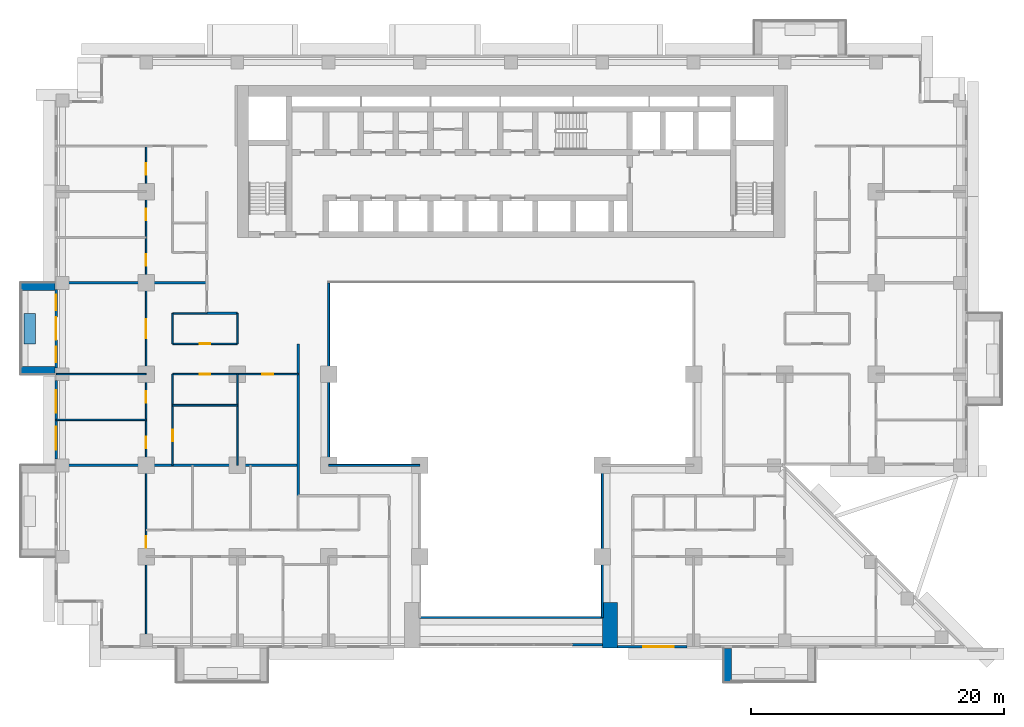
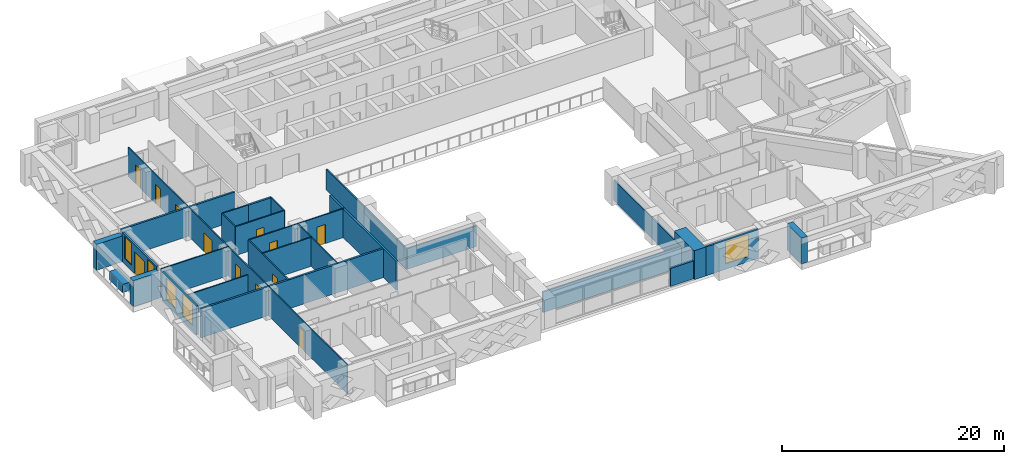
# One storey, part 7 of 16: 28 walls, 12 doors, 5 windows, 17 openings.
"""IFC4 building model written with IfcOpenShell, lengths in metres."""

from ifc_helpers import new_model, si_unit, direction, frame, frame_2d, origin, place, context, subcontext, project, spatial, rectangle, extrude, material, layer, layer_set, type_object, element, fill, save


model = new_model("IFC4")

# Units and contexts
model_context = context("Model", 3, precision=1e-05, world=origin(), true_north=direction((0.0, 1.0)))
body_context = subcontext(model_context, "Body", "Model", "MODEL_VIEW")
ifc_project = project(units=[si_unit("LENGTHUNIT", "METRE"), si_unit("AREAUNIT", "SQUARE_METRE"), si_unit("VOLUMEUNIT", "CUBIC_METRE"), si_unit("PLANEANGLEUNIT", "RADIAN"), si_unit("MASSUNIT", "GRAM", prefix="KILO")], contexts=[model_context])

# Site, building, storey
site_placement = place(None, origin())
site = spatial("IfcSite", under=ifc_project, at=site_placement, CompositionType="ELEMENT")
building_placement = place(site_placement, origin())
building = spatial("IfcBuilding", under=site, at=building_placement, Name="Saffron Iwan Residences", CompositionType="ELEMENT")
storey_placement = place(building_placement, frame((0.0, 0.0, 69.0)))
storey = spatial("IfcBuildingStorey", under=building, at=storey_placement, Name="L17", CompositionType="ELEMENT", Elevation=69.0)

# Walls
ifc_material_1 = material(Name="Fire-rated glazing", Category="glass")
ifc_layer_1 = layer(ifc_material_1, 0.14990234375)
ifc_layer_set_1 = layer_set([ifc_layer_1], Name="Fire-rated glazing")
wall_type_1 = type_object("IfcWallType", Name="Atrium glazed screen 150", PredefinedType="SOLIDWALL", material=ifc_layer_set_1)
wall_1_placement = place(storey_placement, frame((43.199951171875, 36.0, 0.0), z_axis=(0.0, 0.0, 1.0), x_axis=(1.0, 0.0, 0.0)))
element("IfcWall", 1, at=wall_1_placement, inside=storey, type_object=wall_type_1, Name="W-L17-SCREEN-h36-43.2", PredefinedType="SOLIDWALL", context=body_context, shape_type="SweptSolid", body=[
    extrude(rectangle(XDim=14.400146484375, YDim=0.14990234375, at=frame_2d((7.2001953125, 0.0))), origin(), (0.0, 0.0, 1.0), 2.280029296875),
])
wall_2_placement = place(storey_placement, frame((36.0, 48.0, 0.0), z_axis=(0.0, 0.0, 1.0), x_axis=(1.0, 0.0, 0.0)))
element("IfcWall", 2, at=wall_2_placement, inside=storey, type_object=wall_type_1, Name="W-L17-SCREEN-h48-36", PredefinedType="SOLIDWALL", context=body_context, shape_type="SweptSolid", body=[
    extrude(rectangle(XDim=7.199951171875, YDim=0.14990234375, at=frame_2d((3.60009765625, 0.0))), origin(), (0.0, 0.0, 1.0), 2.280029296875),
])
wall_3_placement = place(storey_placement, frame((36.0, 48.0, 0.0), z_axis=(0.0, 0.0, 1.0), x_axis=(0.0, 1.0, 0.0)))
element("IfcWall", 3, at=wall_3_placement, inside=storey, type_object=wall_type_1, Name="W-L17-SCREEN-v36-48", PredefinedType="SOLIDWALL", context=body_context, shape_type="SweptSolid", body=[
    extrude(rectangle(XDim=14.39990234375, YDim=0.14990234375, at=frame_2d((7.199951171875, 0.0))), origin(), (0.0, 0.0, 1.0), 2.280029296875),
])
wall_4_placement = place(storey_placement, frame((57.60009765625, 36.0, 0.0), z_axis=(0.0, 0.0, 1.0), x_axis=(0.0, 1.0, 0.0)))
element("IfcWall", 4, at=wall_4_placement, inside=storey, type_object=wall_type_1, Name="W-L17-SCREEN-v57.6-36", PredefinedType="SOLIDWALL", context=body_context, shape_type="SweptSolid", body=[
    extrude(rectangle(XDim=12.0, YDim=0.14990234375, at=frame_2d((6.0, 0.0))), origin(), (0.0, 0.0, 1.0), 2.280029296875),
])
ifc_material_2 = material(Name="Concrete C50/60 white painted", Category="concrete")
ifc_layer_2 = layer(ifc_material_2, 0.60009765625)
ifc_layer_set_2 = layer_set([ifc_layer_2], Name="Concrete C50/60 white painted")
wall_type_2 = type_object("IfcWallType", Name="BALCONY FIN 600", PredefinedType="SOLIDWALL", material=ifc_layer_set_2)
for number, where, z_axis, x_axis, name in (
    (5, (14.39990234375, 62.10009765625, 0.0), (0.0, 0.0, 1.0), (-1.0, 0.0, 0.0), "Balcony fin L17 F8-0a"),
    (6, (14.39990234375, 55.5, 0.0), (0.0, 0.0, 1.0), (-1.0, 0.0, 0.0), "Balcony fin L17 F8-0b"),
):
    element("IfcWall", number, at=place(storey_placement, frame(where, z_axis=z_axis, x_axis=x_axis)), inside=storey, type_object=wall_type_2, Name=name, PredefinedType="SOLIDWALL", context=body_context, shape_type="SweptSolid", body=[
        extrude(rectangle(XDim=2.699951171875, YDim=0.60009765625, at=frame_2d((1.35009765625, 0.0))), origin(), (0.0, 0.0, 1.0), 2.85009765625),
    ])
wall_5_placement = place(storey_placement, frame((67.5, 33.550048828125, 0.0), z_axis=(0.0, 0.0, 1.0), x_axis=(0.0, -1.0, 0.0)))
element("IfcWall", 7, at=wall_5_placement, inside=storey, type_object=wall_type_2, Name="Balcony fin L17 11-1a", PredefinedType="SOLIDWALL", context=body_context, shape_type="SweptSolid", body=[
    extrude(rectangle(XDim=2.650146484375, YDim=0.60009765625, at=frame_2d((1.3251953125, 0.0))), origin(), (0.0, 0.0, 1.0), 2.85009765625),
])
ifc_material_3 = material(Name="Concrete C35/45 white painted", Category="concrete")
ifc_layer_3 = layer(ifc_material_3, 0.14990234375)
ifc_layer_set_3 = layer_set([ifc_layer_3], Name="Concrete C35/45 white painted")
wall_type_3 = type_object("IfcWallType", Name="BALCONY PLANTER", PredefinedType="SOLIDWALL", material=ifc_layer_set_3)
wall_6_placement = place(storey_placement, frame((12.425048828125, 60.0, 0.0), z_axis=(0.0, 0.0, 1.0), x_axis=(0.0, -1.0, 0.0)))
element("IfcWall", 8, at=wall_6_placement, inside=storey, type_object=wall_type_3, Name="PLANTER L17 F8-0", PredefinedType="SOLIDWALL", context=body_context, shape_type="SweptSolid", body=[
    extrude(rectangle(XDim=2.39990234375, YDim=0.89990234375, at=frame_2d((1.199951171875, 0.0))), origin(), (0.0, 0.0, 1.0), 0.89990234375),
])

# Wall, openings, door, windows
ifc_material_4 = material(Name="Concrete C40/50", Category="concrete")
ifc_layer_4 = layer(ifc_material_4, 0.199951171875)
ifc_layer_set_4 = layer_set([ifc_layer_4], Name="Concrete C40/50")
wall_type_4 = type_object("IfcWallType", Name="EXTERNAL WALL 200", PredefinedType="SOLIDWALL", material=ifc_layer_set_4)
wall_7_placement = place(storey_placement, frame((14.5, 61.89990234375, 0.0), z_axis=(0.0, 0.0, 1.0), x_axis=(0.0, -1.0, 0.0)))
wall_7 = element("IfcWall", 9, at=wall_7_placement, inside=storey, type_object=wall_type_4, Name="External wall L17 F8.2", PredefinedType="SOLIDWALL", context=body_context, shape_type="SweptSolid", body=[
    extrude(rectangle(XDim=6.199951171875, YDim=0.199951171875, at=frame_2d((3.10009765625, 0.0))), origin(), (0.0, 0.0, 1.0), 3.179931640625),
])
opening_1_placement = place(wall_7_placement, frame((2.199951171875, 0.0, 0.0)))
opening_1 = element("IfcOpeningElement", 10, at=opening_1_placement, cuts=wall_7, Name="Opening BD1", PredefinedType="OPENING", context=body_context, shape_type="SweptSolid", body=[
    extrude(rectangle(XDim=1.800048828125, YDim=2.39990234375, at=frame_2d((0.89990234375, 1.199951171875))), frame((0.0, 0.10986328125, 0.0), z_axis=(0.0, -1.0, 0.0), x_axis=(1.0, 0.0, 0.0)), (0.0, 0.0, 1.0), 0.219970703125),
])
opening_2_placement = place(wall_7_placement, frame((0.449951171875, 0.0, 0.60009765625)))
opening_2 = element("IfcOpeningElement", 11, at=opening_2_placement, cuts=wall_7, Name="Opening W3", PredefinedType="OPENING", context=body_context, shape_type="SweptSolid", body=[
    extrude(rectangle(XDim=1.199951171875, YDim=2.39990234375, at=frame_2d((0.60009765625, 1.199951171875))), frame((0.0, 0.10986328125, 0.0), z_axis=(0.0, -1.0, 0.0), x_axis=(1.0, 0.0, 0.0)), (0.0, 0.0, 1.0), 0.219970703125),
])
opening_3_placement = place(wall_7_placement, frame((4.550048828125, 0.0, 0.60009765625)))
opening_3 = element("IfcOpeningElement", 12, at=opening_3_placement, cuts=wall_7, Name="Opening W3", PredefinedType="OPENING", context=body_context, shape_type="SweptSolid", body=[
    extrude(rectangle(XDim=1.199951171875, YDim=2.39990234375, at=frame_2d((0.60009765625, 1.199951171875))), frame((0.0, 0.10986328125, 0.0), z_axis=(0.0, -1.0, 0.0), x_axis=(1.0, 0.0, 0.0)), (0.0, 0.0, 1.0), 0.219970703125),
])
ifc_material_5 = material(Name="Clear glass, laminated double glazed", Category="glass")
door_type_1 = type_object("IfcDoorType", Name="BALCONY DOOR 1800 x 2400", OperationType="DOUBLE_DOOR_SLIDING", PredefinedType="DOOR", material=ifc_material_5)
door_1_placement = place(opening_1_placement, origin())
door_1 = element("IfcDoor", 13, at=door_1_placement, inside=storey, type_object=door_type_1, Name="Balcony door L17 F8.0", OperationType="DOUBLE_DOOR_SLIDING", OverallHeight=2.39990234375, OverallWidth=1.800048828125, PredefinedType="DOOR", context=body_context, shape_type="SweptSolid", body=[
    extrude(rectangle(XDim=1.800048828125, YDim=2.39990234375, at=frame_2d((0.89990234375, 1.199951171875))), frame((0.0, 0.02490234375, 0.0), z_axis=(0.0, -1.0, 0.0), x_axis=(1.0, 0.0, 0.0)), (0.0, 0.0, 1.0), 0.050048828125),
])
fill(opening_1, door_1)
window_type_1 = type_object("IfcWindowType", Name="WINDOW 1200 x 2400", PartitioningType="SINGLE_PANEL", PredefinedType="WINDOW", material=ifc_material_5)
window_1_placement = place(opening_2_placement, origin())
window_1 = element("IfcWindow", 14, at=window_1_placement, inside=storey, type_object=window_type_1, Name="Window L17 F8.1", OverallHeight=2.39990234375, OverallWidth=1.199951171875, PartitioningType="SINGLE_PANEL", PredefinedType="WINDOW", context=body_context, shape_type="SweptSolid", body=[
    extrude(rectangle(XDim=1.199951171875, YDim=2.39990234375, at=frame_2d((0.60009765625, 1.199951171875))), frame((0.0, 0.030029296875, 0.0), z_axis=(0.0, -1.0, 0.0), x_axis=(1.0, 0.0, 0.0)), (0.0, 0.0, 1.0), 0.06005859375),
])
fill(opening_2, window_1)
window_2_placement = place(opening_3_placement, origin())
window_2 = element("IfcWindow", 15, at=window_2_placement, inside=storey, type_object=window_type_1, Name="Window L17 F8.2", OverallHeight=2.39990234375, OverallWidth=1.199951171875, PartitioningType="SINGLE_PANEL", PredefinedType="WINDOW", context=body_context, shape_type="SweptSolid", body=[
    extrude(rectangle(XDim=1.199951171875, YDim=2.39990234375, at=frame_2d((0.60009765625, 1.199951171875))), frame((0.0, 0.030029296875, 0.0), z_axis=(0.0, -1.0, 0.0), x_axis=(1.0, 0.0, 0.0)), (0.0, 0.0, 1.0), 0.06005859375),
])
fill(opening_3, window_2)

# Wall, openings, windows
wall_8_placement = place(storey_placement, frame((14.5, 54.699951171875, 0.0), z_axis=(0.0, 0.0, 1.0), x_axis=(0.0, -1.0, 0.0)))
wall_8 = element("IfcWall", 16, at=wall_8_placement, inside=storey, type_object=wall_type_4, Name="External wall L17 F8.3", PredefinedType="SOLIDWALL", context=body_context, shape_type="SweptSolid", body=[
    extrude(rectangle(XDim=6.199951171875, YDim=0.199951171875, at=frame_2d((3.10009765625, 0.0))), origin(), (0.0, 0.0, 1.0), 3.179931640625),
])
opening_4_placement = place(wall_8_placement, frame((3.64990234375, 0.0, 0.60009765625)))
opening_4 = element("IfcOpeningElement", 17, at=opening_4_placement, cuts=wall_8, Name="Opening W8", PredefinedType="OPENING", context=body_context, shape_type="SweptSolid", body=[
    extrude(rectangle(XDim=1.800048828125, YDim=2.39990234375, at=frame_2d((0.89990234375, 1.199951171875))), frame((0.0, 0.10986328125, 0.0), z_axis=(0.0, -1.0, 0.0), x_axis=(1.0, 0.0, 0.0)), (0.0, 0.0, 1.0), 0.219970703125),
])
opening_5_placement = place(wall_8_placement, frame((0.75, 0.0, 0.60009765625)))
opening_5 = element("IfcOpeningElement", 18, at=opening_5_placement, cuts=wall_8, Name="Opening W8", PredefinedType="OPENING", context=body_context, shape_type="SweptSolid", body=[
    extrude(rectangle(XDim=1.800048828125, YDim=2.39990234375, at=frame_2d((0.89990234375, 1.199951171875))), frame((0.0, 0.10986328125, 0.0), z_axis=(0.0, -1.0, 0.0), x_axis=(1.0, 0.0, 0.0)), (0.0, 0.0, 1.0), 0.219970703125),
])
window_type_2 = type_object("IfcWindowType", Name="WINDOW 1800 x 2400", PartitioningType="DOUBLE_PANEL_VERTICAL", PredefinedType="WINDOW", material=ifc_material_5)
window_3_placement = place(opening_4_placement, origin())
window_3 = element("IfcWindow", 19, at=window_3_placement, inside=storey, type_object=window_type_2, Name="Window L17 F8.0", OverallHeight=2.39990234375, OverallWidth=1.800048828125, PartitioningType="DOUBLE_PANEL_VERTICAL", PredefinedType="WINDOW", context=body_context, shape_type="SweptSolid", body=[
    extrude(rectangle(XDim=1.800048828125, YDim=2.39990234375, at=frame_2d((0.89990234375, 1.199951171875))), frame((0.0, 0.030029296875, 0.0), z_axis=(0.0, -1.0, 0.0), x_axis=(1.0, 0.0, 0.0)), (0.0, 0.0, 1.0), 0.06005859375),
])
fill(opening_4, window_3)
window_4_placement = place(opening_5_placement, origin())
window_4 = element("IfcWindow", 20, at=window_4_placement, inside=storey, type_object=window_type_2, Name="Window L17 F8.1", OverallHeight=2.39990234375, OverallWidth=1.800048828125, PartitioningType="DOUBLE_PANEL_VERTICAL", PredefinedType="WINDOW", context=body_context, shape_type="SweptSolid", body=[
    extrude(rectangle(XDim=1.800048828125, YDim=2.39990234375, at=frame_2d((0.89990234375, 1.199951171875))), frame((0.0, 0.030029296875, 0.0), z_axis=(0.0, -1.0, 0.0), x_axis=(1.0, 0.0, 0.0)), (0.0, 0.0, 1.0), 0.06005859375),
])
fill(opening_5, window_4)

# Wall, opening, window
wall_9_placement = place(storey_placement, frame((58.800048828125, 33.699951171875, 0.0), z_axis=(0.0, 0.0, 1.0), x_axis=(1.0, 0.0, 0.0)))
wall_9 = element("IfcWall", 21, at=wall_9_placement, inside=storey, type_object=wall_type_4, Name="External wall L17 F11.4", PredefinedType="SOLIDWALL", context=body_context, shape_type="SweptSolid", body=[
    extrude(rectangle(XDim=5.5, YDim=0.199951171875, at=frame_2d((2.75, 0.0))), origin(), (0.0, 0.0, 1.0), 3.179931640625),
])
opening_6_placement = place(wall_9_placement, frame((2.050048828125, 0.0, 0.60009765625)))
opening_6 = element("IfcOpeningElement", 22, at=opening_6_placement, cuts=wall_9, Name="Opening W1", PredefinedType="OPENING", context=body_context, shape_type="SweptSolid", body=[
    extrude(rectangle(XDim=2.39990234375, YDim=2.39990234375, at=frame_2d((1.199951171875, 1.199951171875))), frame((0.0, 0.10986328125, 0.0), z_axis=(0.0, -1.0, 0.0), x_axis=(1.0, 0.0, 0.0)), (0.0, 0.0, 1.0), 0.219970703125),
])
window_type_3 = type_object("IfcWindowType", Name="WINDOW 2400 x 2400", PartitioningType="DOUBLE_PANEL_VERTICAL", PredefinedType="WINDOW", material=ifc_material_5)
window_5_placement = place(opening_6_placement, origin())
window_5 = element("IfcWindow", 23, at=window_5_placement, inside=storey, type_object=window_type_3, Name="Window L17 F11.0", OverallHeight=2.39990234375, OverallWidth=2.39990234375, PartitioningType="DOUBLE_PANEL_VERTICAL", PredefinedType="WINDOW", context=body_context, shape_type="SweptSolid", body=[
    extrude(rectangle(XDim=2.39990234375, YDim=2.39990234375, at=frame_2d((1.199951171875, 1.199951171875))), frame((0.0, 0.030029296875, 0.0), z_axis=(0.0, -1.0, 0.0), x_axis=(1.0, 0.0, 0.0)), (0.0, 0.0, 1.0), 0.06005859375),
])
fill(opening_6, window_5)

# Walls
wall_10_placement = place(storey_placement, frame((55.199951171875, 33.85009765625, 0.0), z_axis=(0.0, 0.0, 1.0), x_axis=(1.0, 0.0, 0.0)))
element("IfcWall", 24, at=wall_10_placement, inside=storey, type_object=wall_type_4, Name="External wall infill CWB-L17-0", PredefinedType="SOLIDWALL", context=body_context, shape_type="SweptSolid", body=[
    extrude(rectangle(XDim=2.400146484375, YDim=0.199951171875, at=frame_2d((1.2001953125, 0.0))), origin(), (0.0, 0.0, 1.0), 1.97998046875),
])
ifc_material_6 = material(Name="Fire-rated gypsum board wall")
ifc_layer_5 = layer(ifc_material_6, 0.199951171875)
ifc_layer_set_5 = layer_set([ifc_layer_5], Name="Fire-rated gypsum board wall")
wall_type_5 = type_object("IfcWallType", Name="Flat demising wall 200", PredefinedType="SOLIDWALL", material=ifc_layer_set_5)
wall_11_placement = place(storey_placement, frame((14.52490234375, 48.0, 0.0), z_axis=(0.0, 0.0, 1.0), x_axis=(1.0, 0.0, 0.0)))
element("IfcWall", 25, at=wall_11_placement, inside=storey, type_object=wall_type_5, Name="W-L17-DEMISE-h48-14.525", PredefinedType="SOLIDWALL", context=body_context, shape_type="SweptSolid", body=[
    extrude(rectangle(XDim=19.0751953125, YDim=0.199951171875, at=frame_2d((9.53759765625, 0.0))), origin(), (0.0, 0.0, 1.0), 3.179931640625),
])
wall_12_placement = place(storey_placement, frame((14.52490234375, 62.39990234375, 0.0), z_axis=(0.0, 0.0, 1.0), x_axis=(1.0, 0.0, 0.0)))
element("IfcWall", 26, at=wall_12_placement, inside=storey, type_object=wall_type_5, Name="W-L17-DEMISE-h62.4-14.525", PredefinedType="SOLIDWALL", context=body_context, shape_type="SweptSolid", body=[
    extrude(rectangle(XDim=11.875, YDim=0.199951171875, at=frame_2d((5.9375, 0.0))), origin(), (0.0, 0.0, 1.0), 3.179931640625),
])
ifc_material_7 = material(Name="Gypsum board partition")
ifc_layer_6 = layer(ifc_material_7, 0.1201171875)
ifc_layer_set_6 = layer_set([ifc_layer_6], Name="Gypsum board partition")
wall_type_6 = type_object("IfcWallType", Name="Flat partition 120", PredefinedType="PARTITIONING", material=ifc_layer_set_6)
wall_13_placement = place(storey_placement, frame((14.52490234375, 51.60009765625, 0.0), z_axis=(0.0, 0.0, 1.0), x_axis=(1.0, 0.0, 0.0)))
element("IfcWall", 27, at=wall_13_placement, inside=storey, type_object=wall_type_6, Name="W-L17-PART-h51.6-14.525", PredefinedType="PARTITIONING", context=body_context, shape_type="SweptSolid", body=[
    extrude(rectangle(XDim=7.0751953125, YDim=0.1201171875, at=frame_2d((3.53759765625, 0.0))), origin(), (0.0, 0.0, 1.0), 2.280029296875),
])
wall_14_placement = place(storey_placement, frame((23.699951171875, 52.75, 0.0), z_axis=(0.0, 0.0, 1.0), x_axis=(1.0, 0.0, 0.0)))
element("IfcWall", 28, at=wall_14_placement, inside=storey, type_object=wall_type_6, Name="W-L17-PART-h52.75-23.7", PredefinedType="PARTITIONING", context=body_context, shape_type="SweptSolid", body=[
    extrude(rectangle(XDim=5.10009765625, YDim=0.1201171875, at=frame_2d((2.550048828125, 0.0))), origin(), (0.0, 0.0, 1.0), 3.179931640625),
])
wall_15_placement = place(storey_placement, frame((14.52490234375, 55.199951171875, 0.0), z_axis=(0.0, 0.0, 1.0), x_axis=(1.0, 0.0, 0.0)))
element("IfcWall", 29, at=wall_15_placement, inside=storey, type_object=wall_type_6, Name="W-L17-PART-h55.2-14.525", PredefinedType="PARTITIONING", context=body_context, shape_type="SweptSolid", body=[
    extrude(rectangle(XDim=7.0751953125, YDim=0.1201171875, at=frame_2d((3.53759765625, 0.0))), origin(), (0.0, 0.0, 1.0), 3.179931640625),
])

# Wall, openings, doors
wall_16_placement = place(storey_placement, frame((23.699951171875, 55.199951171875, 0.0), z_axis=(0.0, 0.0, 1.0), x_axis=(1.0, 0.0, 0.0)))
wall_16 = element("IfcWall", 30, at=wall_16_placement, inside=storey, type_object=wall_type_6, Name="W-L17-PART-h55.2-23.7", PredefinedType="PARTITIONING", context=body_context, shape_type="SweptSolid", body=[
    extrude(rectangle(XDim=9.900146484375, YDim=0.1201171875, at=frame_2d((4.9501953125, 0.0))), origin(), (0.0, 0.0, 1.0), 3.179931640625),
])
opening_7_placement = place(wall_16_placement, frame((2.14990234375, 0.0, 0.0)))
opening_7 = element("IfcOpeningElement", 31, at=opening_7_placement, cuts=wall_16, Name="Opening FD3", PredefinedType="OPENING", context=body_context, shape_type="SweptSolid", body=[
    extrude(rectangle(XDim=0.800048828125, YDim=2.10009765625, at=frame_2d((0.39990234375, 1.050048828125))), frame((0.0, 0.070068359375, 0.0), z_axis=(0.0, -1.0, 0.0), x_axis=(1.0, 0.0, 0.0)), (0.0, 0.0, 1.0), 0.14013671875),
])
opening_8_placement = place(wall_16_placement, frame((7.050048828125, 0.0, 0.0)))
opening_8 = element("IfcOpeningElement", 32, at=opening_8_placement, cuts=wall_16, Name="Opening FD2", PredefinedType="OPENING", context=body_context, shape_type="SweptSolid", body=[
    extrude(rectangle(XDim=0.89990234375, YDim=2.10009765625, at=frame_2d((0.449951171875, 1.050048828125))), frame((0.0, 0.070068359375, 0.0), z_axis=(0.0, -1.0, 0.0), x_axis=(1.0, 0.0, 0.0)), (0.0, 0.0, 1.0), 0.14013671875),
])
ifc_material_8 = material(Name="Timber door", Category="wood")
door_type_2 = type_object("IfcDoorType", Name="Bathroom door 800", OperationType="NOTDEFINED", PredefinedType="DOOR", material=ifc_material_8)
door_2_placement = place(opening_7_placement, origin())
door_2 = element("IfcDoor", 33, at=door_2_placement, inside=storey, type_object=door_type_2, Name="Door L17-017", OperationType="SINGLE_SWING_RIGHT", OverallHeight=2.10009765625, OverallWidth=0.800048828125, PredefinedType="DOOR", context=body_context, shape_type="SweptSolid", body=[
    extrude(rectangle(XDim=0.800048828125, YDim=2.10009765625, at=frame_2d((0.39990234375, 1.050048828125))), frame((0.0, 0.02490234375, 0.0), z_axis=(0.0, -1.0, 0.0), x_axis=(1.0, 0.0, 0.0)), (0.0, 0.0, 1.0), 0.050048828125),
])
fill(opening_7, door_2)
door_type_3 = type_object("IfcDoorType", Name="Flat door 900", OperationType="NOTDEFINED", PredefinedType="DOOR", material=ifc_material_8)
door_3_placement = place(opening_8_placement, origin())
door_3 = element("IfcDoor", 34, at=door_3_placement, inside=storey, type_object=door_type_3, Name="Door L17-019", OperationType="SINGLE_SWING_LEFT", OverallHeight=2.10009765625, OverallWidth=0.89990234375, PredefinedType="DOOR", context=body_context, shape_type="SweptSolid", body=[
    extrude(rectangle(XDim=0.89990234375, YDim=2.10009765625, at=frame_2d((0.449951171875, 1.050048828125))), frame((0.0, 0.02490234375, 0.0), z_axis=(0.0, -1.0, 0.0), x_axis=(1.0, 0.0, 0.0)), (0.0, 0.0, 1.0), 0.050048828125),
])
fill(opening_8, door_3)

# Wall, opening, door
wall_17_placement = place(storey_placement, frame((23.699951171875, 57.60009765625, 0.0), z_axis=(0.0, 0.0, 1.0), x_axis=(1.0, 0.0, 0.0)))
wall_17 = element("IfcWall", 35, at=wall_17_placement, inside=storey, type_object=wall_type_6, Name="W-L17-PART-h57.6-23.7", PredefinedType="PARTITIONING", context=body_context, shape_type="SweptSolid", body=[
    extrude(rectangle(XDim=5.10009765625, YDim=0.1201171875, at=frame_2d((2.550048828125, 0.0))), origin(), (0.0, 0.0, 1.0), 3.179931640625),
])
opening_9_placement = place(wall_17_placement, frame((2.14990234375, 0.0, 0.0)))
opening_9 = element("IfcOpeningElement", 36, at=opening_9_placement, cuts=wall_17, Name="Opening FD3", PredefinedType="OPENING", context=body_context, shape_type="SweptSolid", body=[
    extrude(rectangle(XDim=0.800048828125, YDim=2.10009765625, at=frame_2d((0.39990234375, 1.050048828125))), frame((0.0, 0.070068359375, 0.0), z_axis=(0.0, -1.0, 0.0), x_axis=(1.0, 0.0, 0.0)), (0.0, 0.0, 1.0), 0.14013671875),
])
door_4_placement = place(opening_9_placement, origin())
door_4 = element("IfcDoor", 37, at=door_4_placement, inside=storey, type_object=door_type_2, Name="Door L17-018", OperationType="SINGLE_SWING_LEFT", OverallHeight=2.10009765625, OverallWidth=0.800048828125, PredefinedType="DOOR", context=body_context, shape_type="SweptSolid", body=[
    extrude(rectangle(XDim=0.800048828125, YDim=2.10009765625, at=frame_2d((0.39990234375, 1.050048828125))), frame((0.0, 0.02490234375, 0.0), z_axis=(0.0, -1.0, 0.0), x_axis=(1.0, 0.0, 0.0)), (0.0, 0.0, 1.0), 0.050048828125),
])
fill(opening_9, door_4)

# Wall
wall_18_placement = place(storey_placement, frame((23.699951171875, 60.0, 0.0), z_axis=(0.0, 0.0, 1.0), x_axis=(1.0, 0.0, 0.0)))
element("IfcWall", 38, at=wall_18_placement, inside=storey, type_object=wall_type_6, Name="W-L17-PART-h60-23.7", PredefinedType="PARTITIONING", context=body_context, shape_type="SweptSolid", body=[
    extrude(rectangle(XDim=2.699951171875, YDim=0.1201171875, at=frame_2d((1.35009765625, 0.0))), origin(), (0.0, 0.0, 1.0), 3.179931640625),
])

# Wall, openings, doors
wall_19_placement = place(storey_placement, frame((21.60009765625, 33.72509765625, 0.0), z_axis=(0.0, 0.0, 1.0), x_axis=(0.0, 1.0, 0.0)))
wall_19 = element("IfcWall", 39, at=wall_19_placement, inside=storey, type_object=wall_type_6, Name="W-L17-PART-v21.6-33.725", PredefinedType="PARTITIONING", context=body_context, shape_type="SweptSolid", body=[
    extrude(rectangle(XDim=39.474853515625, YDim=0.1201171875, at=frame_2d((19.7373046875, 0.0))), origin(), (0.0, 0.0, 1.0), 3.179931640625),
])
opening_10_placement = place(wall_19_placement, frame((7.77490234375, 0.0, 0.0)))
opening_10 = element("IfcOpeningElement", 40, at=opening_10_placement, cuts=wall_19, Name="Opening FD2", PredefinedType="OPENING", context=body_context, shape_type="SweptSolid", body=[
    extrude(rectangle(XDim=0.89990234375, YDim=2.10009765625, at=frame_2d((0.449951171875, 1.050048828125))), frame((0.0, 0.070068359375, 0.0), z_axis=(0.0, -1.0, 0.0), x_axis=(1.0, 0.0, 0.0)), (0.0, 0.0, 1.0), 0.14013671875),
])
opening_11_placement = place(wall_19_placement, frame((15.625, 0.0, 0.0)))
opening_11 = element("IfcOpeningElement", 41, at=opening_11_placement, cuts=wall_19, Name="Opening FD2", PredefinedType="OPENING", context=body_context, shape_type="SweptSolid", body=[
    extrude(rectangle(XDim=0.89990234375, YDim=2.10009765625, at=frame_2d((0.449951171875, 1.050048828125))), frame((0.0, 0.070068359375, 0.0), z_axis=(0.0, -1.0, 0.0), x_axis=(1.0, 0.0, 0.0)), (0.0, 0.0, 1.0), 0.14013671875),
])
opening_12_placement = place(wall_19_placement, frame((19.22509765625, 0.0, 0.0)))
opening_12 = element("IfcOpeningElement", 42, at=opening_12_placement, cuts=wall_19, Name="Opening FD2", PredefinedType="OPENING", context=body_context, shape_type="SweptSolid", body=[
    extrude(rectangle(XDim=0.89990234375, YDim=2.10009765625, at=frame_2d((0.449951171875, 1.050048828125))), frame((0.0, 0.070068359375, 0.0), z_axis=(0.0, -1.0, 0.0), x_axis=(1.0, 0.0, 0.0)), (0.0, 0.0, 1.0), 0.14013671875),
])
opening_13_placement = place(wall_19_placement, frame((24.324951171875, 0.0, 0.0)))
opening_13 = element("IfcOpeningElement", 43, at=opening_13_placement, cuts=wall_19, Name="Opening FD4", PredefinedType="OPENING", context=body_context, shape_type="SweptSolid", body=[
    extrude(rectangle(XDim=1.5, YDim=2.10009765625, at=frame_2d((0.75, 1.050048828125))), frame((0.0, 0.070068359375, 0.0), z_axis=(0.0, -1.0, 0.0), x_axis=(1.0, 0.0, 0.0)), (0.0, 0.0, 1.0), 0.14013671875),
])
opening_14_placement = place(wall_19_placement, frame((30.02490234375, 0.0, 0.0)))
opening_14 = element("IfcOpeningElement", 44, at=opening_14_placement, cuts=wall_19, Name="Opening FD2", PredefinedType="OPENING", context=body_context, shape_type="SweptSolid", body=[
    extrude(rectangle(XDim=0.89990234375, YDim=2.10009765625, at=frame_2d((0.449951171875, 1.050048828125))), frame((0.0, 0.070068359375, 0.0), z_axis=(0.0, -1.0, 0.0), x_axis=(1.0, 0.0, 0.0)), (0.0, 0.0, 1.0), 0.14013671875),
])
opening_15_placement = place(wall_19_placement, frame((33.625, 0.0, 0.0)))
opening_15 = element("IfcOpeningElement", 45, at=opening_15_placement, cuts=wall_19, Name="Opening FD2", PredefinedType="OPENING", context=body_context, shape_type="SweptSolid", body=[
    extrude(rectangle(XDim=0.89990234375, YDim=2.10009765625, at=frame_2d((0.449951171875, 1.050048828125))), frame((0.0, 0.070068359375, 0.0), z_axis=(0.0, -1.0, 0.0), x_axis=(1.0, 0.0, 0.0)), (0.0, 0.0, 1.0), 0.14013671875),
])
opening_16_placement = place(wall_19_placement, frame((37.22509765625, 0.0, 0.0)))
opening_16 = element("IfcOpeningElement", 46, at=opening_16_placement, cuts=wall_19, Name="Opening FD2", PredefinedType="OPENING", context=body_context, shape_type="SweptSolid", body=[
    extrude(rectangle(XDim=0.89990234375, YDim=2.10009765625, at=frame_2d((0.449951171875, 1.050048828125))), frame((0.0, 0.070068359375, 0.0), z_axis=(0.0, -1.0, 0.0), x_axis=(1.0, 0.0, 0.0)), (0.0, 0.0, 1.0), 0.14013671875),
])
door_type_4 = type_object("IfcDoorType", Name="Double door 1500", OperationType="NOTDEFINED", PredefinedType="DOOR", material=ifc_material_8)
door_5_placement = place(opening_13_placement, origin())
door_5 = element("IfcDoor", 47, at=door_5_placement, inside=storey, type_object=door_type_4, Name="Door L17-015", OperationType="SINGLE_SWING_LEFT", OverallHeight=2.10009765625, OverallWidth=1.5, PredefinedType="DOOR", context=body_context, shape_type="SweptSolid", body=[
    extrude(rectangle(XDim=1.5, YDim=2.10009765625, at=frame_2d((0.75, 1.050048828125))), frame((0.0, 0.02490234375, 0.0), z_axis=(0.0, -1.0, 0.0), x_axis=(1.0, 0.0, 0.0)), (0.0, 0.0, 1.0), 0.050048828125),
])
fill(opening_13, door_5)
door_6_placement = place(opening_10_placement, origin())
door_6 = element("IfcDoor", 48, at=door_6_placement, inside=storey, type_object=door_type_3, Name="Door L17-002", OperationType="SINGLE_SWING_LEFT", OverallHeight=2.10009765625, OverallWidth=0.89990234375, PredefinedType="DOOR", context=body_context, shape_type="SweptSolid", body=[
    extrude(rectangle(XDim=0.89990234375, YDim=2.10009765625, at=frame_2d((0.449951171875, 1.050048828125))), frame((0.0, 0.02490234375, 0.0), z_axis=(0.0, -1.0, 0.0), x_axis=(1.0, 0.0, 0.0)), (0.0, 0.0, 1.0), 0.050048828125),
])
fill(opening_10, door_6)
door_7_placement = place(opening_11_placement, origin())
door_7 = element("IfcDoor", 49, at=door_7_placement, inside=storey, type_object=door_type_3, Name="Door L17-013", OperationType="SINGLE_SWING_LEFT", OverallHeight=2.10009765625, OverallWidth=0.89990234375, PredefinedType="DOOR", context=body_context, shape_type="SweptSolid", body=[
    extrude(rectangle(XDim=0.89990234375, YDim=2.10009765625, at=frame_2d((0.449951171875, 1.050048828125))), frame((0.0, 0.02490234375, 0.0), z_axis=(0.0, -1.0, 0.0), x_axis=(1.0, 0.0, 0.0)), (0.0, 0.0, 1.0), 0.050048828125),
])
fill(opening_11, door_7)
door_8_placement = place(opening_12_placement, origin())
door_8 = element("IfcDoor", 50, at=door_8_placement, inside=storey, type_object=door_type_3, Name="Door L17-014", OperationType="SINGLE_SWING_RIGHT", OverallHeight=2.10009765625, OverallWidth=0.89990234375, PredefinedType="DOOR", context=body_context, shape_type="SweptSolid", body=[
    extrude(rectangle(XDim=0.89990234375, YDim=2.10009765625, at=frame_2d((0.449951171875, 1.050048828125))), frame((0.0, 0.02490234375, 0.0), z_axis=(0.0, -1.0, 0.0), x_axis=(1.0, 0.0, 0.0)), (0.0, 0.0, 1.0), 0.050048828125),
])
fill(opening_12, door_8)
door_9_placement = place(opening_14_placement, origin())
door_9 = element("IfcDoor", 51, at=door_9_placement, inside=storey, type_object=door_type_3, Name="Door L17-028", OperationType="SINGLE_SWING_LEFT", OverallHeight=2.10009765625, OverallWidth=0.89990234375, PredefinedType="DOOR", context=body_context, shape_type="SweptSolid", body=[
    extrude(rectangle(XDim=0.89990234375, YDim=2.10009765625, at=frame_2d((0.449951171875, 1.050048828125))), frame((0.0, 0.02490234375, 0.0), z_axis=(0.0, -1.0, 0.0), x_axis=(1.0, 0.0, 0.0)), (0.0, 0.0, 1.0), 0.050048828125),
])
fill(opening_14, door_9)
door_10_placement = place(opening_15_placement, origin())
door_10 = element("IfcDoor", 52, at=door_10_placement, inside=storey, type_object=door_type_3, Name="Door L17-029", OperationType="SINGLE_SWING_RIGHT", OverallHeight=2.10009765625, OverallWidth=0.89990234375, PredefinedType="DOOR", context=body_context, shape_type="SweptSolid", body=[
    extrude(rectangle(XDim=0.89990234375, YDim=2.10009765625, at=frame_2d((0.449951171875, 1.050048828125))), frame((0.0, 0.02490234375, 0.0), z_axis=(0.0, -1.0, 0.0), x_axis=(1.0, 0.0, 0.0)), (0.0, 0.0, 1.0), 0.050048828125),
])
fill(opening_15, door_10)
door_11_placement = place(opening_16_placement, origin())
door_11 = element("IfcDoor", 53, at=door_11_placement, inside=storey, type_object=door_type_3, Name="Door L17-030", OperationType="SINGLE_SWING_LEFT", OverallHeight=2.10009765625, OverallWidth=0.89990234375, PredefinedType="DOOR", context=body_context, shape_type="SweptSolid", body=[
    extrude(rectangle(XDim=0.89990234375, YDim=2.10009765625, at=frame_2d((0.449951171875, 1.050048828125))), frame((0.0, 0.02490234375, 0.0), z_axis=(0.0, -1.0, 0.0), x_axis=(1.0, 0.0, 0.0)), (0.0, 0.0, 1.0), 0.050048828125),
])
fill(opening_16, door_11)

# Wall, opening, door
wall_20_placement = place(storey_placement, frame((23.699951171875, 48.0, 0.0), z_axis=(0.0, 0.0, 1.0), x_axis=(0.0, 1.0, 0.0)))
wall_20 = element("IfcWall", 54, at=wall_20_placement, inside=storey, type_object=wall_type_6, Name="W-L17-PART-v23.7-48", PredefinedType="PARTITIONING", context=body_context, shape_type="SweptSolid", body=[
    extrude(rectangle(XDim=7.199951171875, YDim=0.1201171875, at=frame_2d((3.60009765625, 0.0))), origin(), (0.0, 0.0, 1.0), 3.179931640625),
])
opening_17_placement = place(wall_20_placement, frame((1.925048828125, 0.0, 0.0)))
opening_17 = element("IfcOpeningElement", 55, at=opening_17_placement, cuts=wall_20, Name="Opening FD2", PredefinedType="OPENING", context=body_context, shape_type="SweptSolid", body=[
    extrude(rectangle(XDim=0.89990234375, YDim=2.10009765625, at=frame_2d((0.449951171875, 1.050048828125))), frame((0.0, 0.070068359375, 0.0), z_axis=(0.0, -1.0, 0.0), x_axis=(1.0, 0.0, 0.0)), (0.0, 0.0, 1.0), 0.14013671875),
])
door_12_placement = place(opening_17_placement, origin())
door_12 = element("IfcDoor", 56, at=door_12_placement, inside=storey, type_object=door_type_3, Name="Door L17-016", OperationType="SINGLE_SWING_LEFT", OverallHeight=2.10009765625, OverallWidth=0.89990234375, PredefinedType="DOOR", context=body_context, shape_type="SweptSolid", body=[
    extrude(rectangle(XDim=0.89990234375, YDim=2.10009765625, at=frame_2d((0.449951171875, 1.050048828125))), frame((0.0, 0.02490234375, 0.0), z_axis=(0.0, -1.0, 0.0), x_axis=(1.0, 0.0, 0.0)), (0.0, 0.0, 1.0), 0.050048828125),
])
fill(opening_17, door_12)

# Walls
wall_21_placement = place(storey_placement, frame((23.699951171875, 57.60009765625, 0.0), z_axis=(0.0, 0.0, 1.0), x_axis=(0.0, 1.0, 0.0)))
element("IfcWall", 57, at=wall_21_placement, inside=storey, type_object=wall_type_6, Name="W-L17-PART-v23.7-57.6", PredefinedType="PARTITIONING", context=body_context, shape_type="SweptSolid", body=[
    extrude(rectangle(XDim=2.39990234375, YDim=0.1201171875, at=frame_2d((1.199951171875, 0.0))), origin(), (0.0, 0.0, 1.0), 3.179931640625),
])
wall_22_placement = place(storey_placement, frame((28.800048828125, 48.0, 0.0), z_axis=(0.0, 0.0, 1.0), x_axis=(0.0, 1.0, 0.0)))
element("IfcWall", 58, at=wall_22_placement, inside=storey, type_object=wall_type_6, Name="W-L17-PART-v28.8-48", PredefinedType="PARTITIONING", context=body_context, shape_type="SweptSolid", body=[
    extrude(rectangle(XDim=7.199951171875, YDim=0.1201171875, at=frame_2d((3.60009765625, 0.0))), origin(), (0.0, 0.0, 1.0), 3.179931640625),
])
wall_23_placement = place(storey_placement, frame((28.800048828125, 57.60009765625, 0.0), z_axis=(0.0, 0.0, 1.0), x_axis=(0.0, 1.0, 0.0)))
element("IfcWall", 59, at=wall_23_placement, inside=storey, type_object=wall_type_6, Name="W-L17-PART-v28.8-57.6", PredefinedType="PARTITIONING", context=body_context, shape_type="SweptSolid", body=[
    extrude(rectangle(XDim=2.39990234375, YDim=0.1201171875, at=frame_2d((1.199951171875, 0.0))), origin(), (0.0, 0.0, 1.0), 3.179931640625),
])
ifc_layer_7 = layer(ifc_material_6, 0.199951171875)
ifc_layer_set_7 = layer_set([ifc_layer_7], Name="Fire-rated gypsum board wall")
wall_type_7 = type_object("IfcWallType", Name="Gallery wall 200", PredefinedType="SOLIDWALL", material=ifc_layer_set_7)
wall_24_placement = place(storey_placement, frame((26.39990234375, 60.0, 0.0), z_axis=(0.0, 0.0, 1.0), x_axis=(1.0, 0.0, 0.0)))
element("IfcWall", 60, at=wall_24_placement, inside=storey, type_object=wall_type_7, Name="W-L17-CORR-h60-26.4", PredefinedType="SOLIDWALL", context=body_context, shape_type="SweptSolid", body=[
    extrude(rectangle(XDim=2.400146484375, YDim=0.199951171875, at=frame_2d((1.2001953125, 0.0))), origin(), (0.0, 0.0, 1.0), 3.179931640625),
])
wall_25_placement = place(storey_placement, frame((33.60009765625, 45.60009765625, 0.0), z_axis=(0.0, 0.0, 1.0), x_axis=(0.0, 1.0, 0.0)))
element("IfcWall", 61, at=wall_25_placement, inside=storey, type_object=wall_type_7, Name="W-L17-CORR-v33.6-45.6", PredefinedType="SOLIDWALL", context=body_context, shape_type="SweptSolid", body=[
    extrude(rectangle(XDim=12.0, YDim=0.199951171875, at=frame_2d((6.0, 0.0))), origin(), (0.0, 0.0, 1.0), 3.179931640625),
])
ifc_material_9 = material(Name="Concrete C60/75", Category="concrete")
ifc_layer_8 = layer(ifc_material_9, 1.199951171875)
ifc_layer_set_8 = layer_set([ifc_layer_8], Name="Concrete C60/75")
wall_type_8 = type_object("IfcWallType", Name="WALL IWAN PIER 1200 C60/75 3180 HIGH", PredefinedType="SHEAR", material=ifc_layer_set_8)
wall_26_placement = place(storey_placement, frame((58.199951171875, 33.60009765625, 0.0), z_axis=(0.0, 0.0, 1.0), x_axis=(0.0, 1.0, 0.0)))
element("IfcWall", 62, at=wall_26_placement, inside=storey, type_object=wall_type_8, Name="IWAN PIER", PredefinedType="SHEAR", context=body_context, shape_type="SweptSolid", body=[
    extrude(rectangle(XDim=3.599853515625, YDim=1.199951171875, at=frame_2d((1.7998046875, 0.0))), origin(), (0.0, 0.0, 1.0), 3.179931640625),
])

save(model, "model.ifc")
